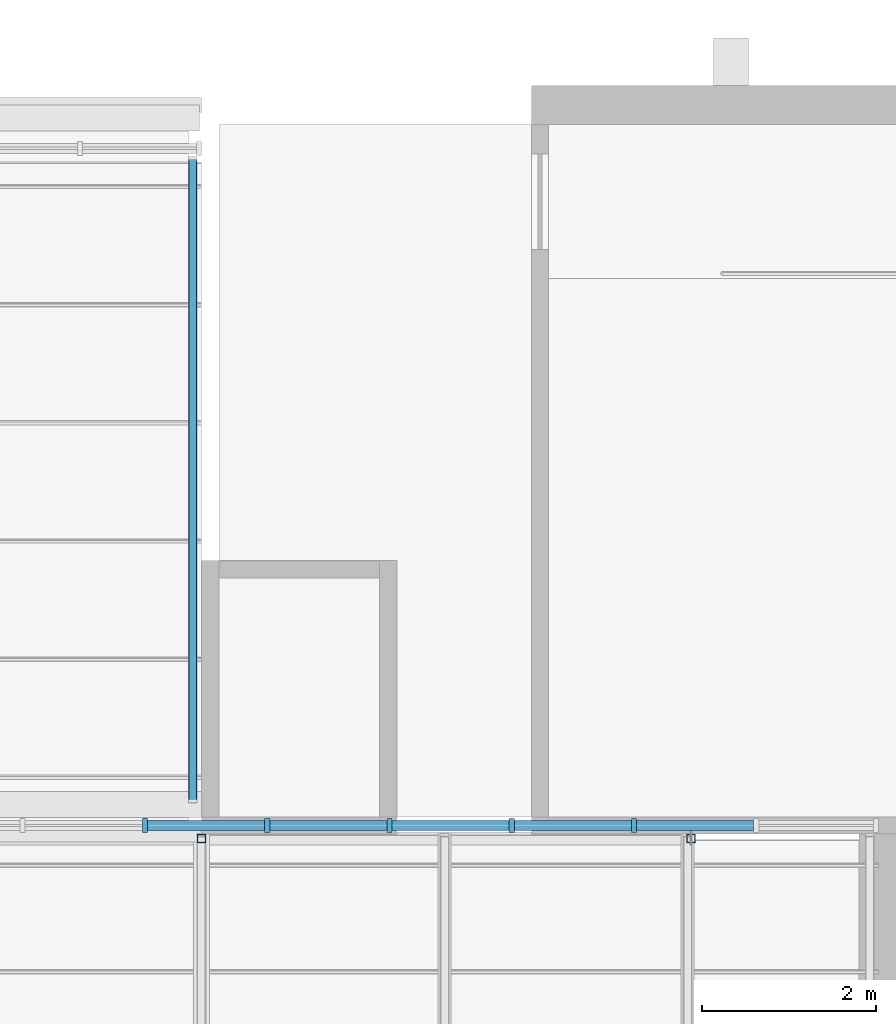
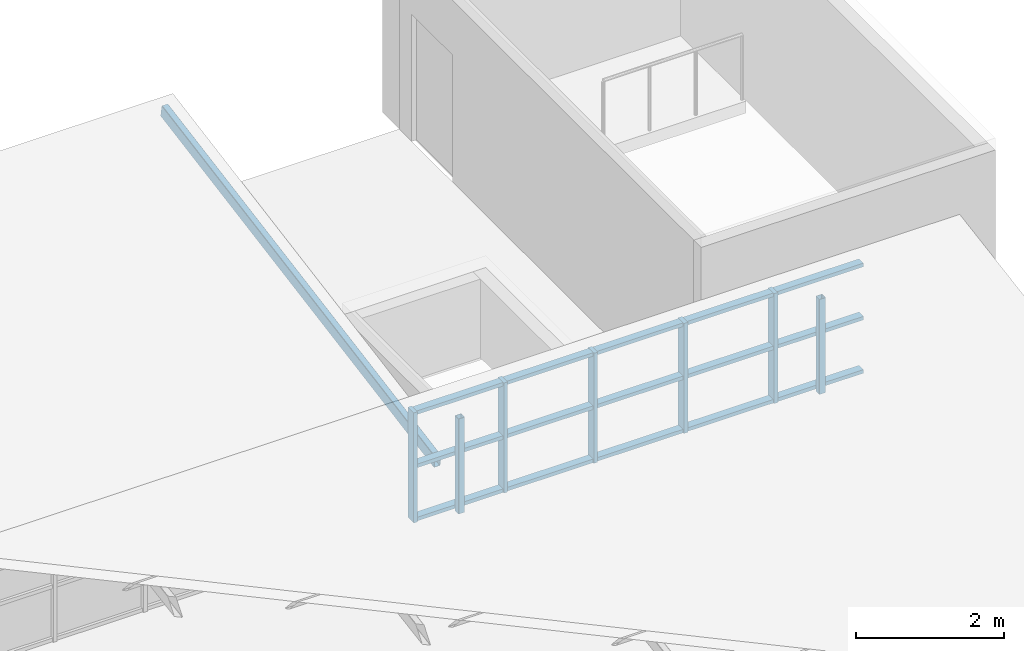
# One storey, part 13 of 42: 23 members, 1 element without a shape of its own.
"""IFC4 building model written with IfcOpenShell, lengths in metres."""

from ifc_helpers import new_model, si_unit, direction, frame, origin, origin_2d, place, context, subcontext, project, spatial, rectangle, hollow_rectangle, extrude, material, layer, layer_set, material_profile, profile_set, type_object, element, aggregate, save


model = new_model("IFC4")

# Units and contexts
model_context = context("Model", 3, precision=1e-05, world=origin(), true_north=direction((0.0, 1.0)))
body_context = subcontext(model_context, "Body", "Model", "MODEL_VIEW")
ifc_project = project(units=[si_unit("LENGTHUNIT", "METRE"), si_unit("AREAUNIT", "SQUARE_METRE"), si_unit("VOLUMEUNIT", "CUBIC_METRE"), si_unit("PLANEANGLEUNIT", "RADIAN"), si_unit("MASSUNIT", "GRAM", prefix="KILO")], contexts=[model_context])

# Site, building, storey
site_placement = place(None, origin())
site = spatial("IfcSite", under=ifc_project, at=site_placement, CompositionType="ELEMENT")
building_placement = place(site_placement, origin())
building = spatial("IfcBuilding", under=site, at=building_placement, Name="Ardhachandra Cancer Care Centre", CompositionType="ELEMENT")
storey_placement = place(building_placement, frame((0.0, 0.0, 22.5)))
storey = spatial("IfcBuildingStorey", under=building, at=storey_placement, Name="L05", CompositionType="ELEMENT", Elevation=22.5)

# Curtain wall, members
ifc_material_1 = material(Name="Aluminium extrusion", Category="aluminium")
ifc_layer = layer(ifc_material_1, 0.14990234375)
ifc_layer_set = layer_set([ifc_layer], Name="Aluminium extrusion")
curtain_wall_type = type_object("IfcCurtainWallType", Name="Curtain wall run", PredefinedType="NOTDEFINED", material=ifc_layer_set)
curtain_wall_placement = place(storey_placement, origin())
curtain_wall = element("IfcCurtainWall", 1, at=curtain_wall_placement, inside=storey, type_object=curtain_wall_type, Name="Curtain wall L05 n/0011400_0088300", PredefinedType="NOTDEFINED")
ifc_material_2 = material(Name="Aluminium extrusion", Category="aluminium")
ifc_material_profile_1 = material_profile(ifc_material_2, rectangle(XDim=0.159912109375, YDim=0.06005859375, at=origin_2d()), Name="Curtain wall mullion 60 x 160")
ifc_profile_set_1 = profile_set([ifc_material_profile_1], Name="Aluminium extrusion")
member_type_1 = type_object("IfcMemberType", Name="Curtain wall mullion 60 x 160", PredefinedType="MULLION", material=ifc_profile_set_1)
member_1_placement = place(storey_placement, frame((35.347900390625, 88.300048828125, 0.0), z_axis=(0.0, 0.0, 1.0), x_axis=(0.0, 1.0, 0.0)))
member_1 = element("IfcMember", 2, at=member_1_placement, type_object=member_type_1, Name="CW mullion 18", PredefinedType="MULLION", context=body_context, shape_type="SweptSolid", body=[
    extrude(rectangle(XDim=0.159912109375, YDim=0.06005859375, at=origin_2d()), origin(), (0.0, 0.0, 1.0), 1.820068359375),
])
member_2_placement = place(storey_placement, frame((36.756591796875, 88.300048828125, 0.0), z_axis=(0.0, 0.0, 1.0), x_axis=(0.0, 1.0, 0.0)))
member_2 = element("IfcMember", 3, at=member_2_placement, type_object=member_type_1, Name="CW mullion 19", PredefinedType="MULLION", context=body_context, shape_type="SweptSolid", body=[
    extrude(rectangle(XDim=0.159912109375, YDim=0.06005859375, at=origin_2d()), origin(), (0.0, 0.0, 1.0), 1.820068359375),
])
member_3_placement = place(storey_placement, frame((38.165283203125, 88.300048828125, 0.0), z_axis=(0.0, 0.0, 1.0), x_axis=(0.0, 1.0, 0.0)))
member_3 = element("IfcMember", 4, at=member_3_placement, type_object=member_type_1, Name="CW mullion 20", PredefinedType="MULLION", context=body_context, shape_type="SweptSolid", body=[
    extrude(rectangle(XDim=0.159912109375, YDim=0.06005859375, at=origin_2d()), origin(), (0.0, 0.0, 1.0), 1.820068359375),
])
member_4_placement = place(storey_placement, frame((39.573974609375, 88.300048828125, 0.0), z_axis=(0.0, 0.0, 1.0), x_axis=(0.0, 1.0, 0.0)))
member_4 = element("IfcMember", 5, at=member_4_placement, type_object=member_type_1, Name="CW mullion 21", PredefinedType="MULLION", context=body_context, shape_type="SweptSolid", body=[
    extrude(rectangle(XDim=0.159912109375, YDim=0.06005859375, at=origin_2d()), origin(), (0.0, 0.0, 1.0), 1.820068359375),
])
member_5_placement = place(storey_placement, frame((40.982666015625, 88.300048828125, 0.0), z_axis=(0.0, 0.0, 1.0), x_axis=(0.0, 1.0, 0.0)))
member_5 = element("IfcMember", 6, at=member_5_placement, type_object=member_type_1, Name="CW mullion 22", PredefinedType="MULLION", context=body_context, shape_type="SweptSolid", body=[
    extrude(rectangle(XDim=0.159912109375, YDim=0.06005859375, at=origin_2d()), origin(), (0.0, 0.0, 1.0), 1.820068359375),
])
ifc_material_3 = material(Name="Aluminium extrusion", Category="aluminium")
ifc_material_profile_2 = material_profile(ifc_material_3, rectangle(XDim=0.1201171875, YDim=0.06005859375, at=origin_2d()), Name="Curtain wall transom 60 x 120")
ifc_profile_set_2 = profile_set([ifc_material_profile_2], Name="Aluminium extrusion")
member_type_2 = type_object("IfcMemberType", Name="Curtain wall transom 60 x 120", PredefinedType="USERDEFINED", material=ifc_profile_set_2)
member_6_placement = place(storey_placement, frame((35.3779296875, 88.300048828125, 0.030029296875), z_axis=(1.0, 0.0, 0.0), x_axis=(0.0, 1.0, 0.0)))
member_6 = element("IfcMember", 7, at=member_6_placement, type_object=member_type_2, Name="CW transom 18.1", ObjectType="TRANSOM", PredefinedType="USERDEFINED", context=body_context, shape_type="SweptSolid", body=[
    extrude(rectangle(XDim=0.1201171875, YDim=0.06005859375, at=origin_2d()), origin(), (0.0, 0.0, 1.0), 1.3486328125),
])
member_7_placement = place(storey_placement, frame((35.3779296875, 88.300048828125, 0.909912109375), z_axis=(1.0, 0.0, 0.0), x_axis=(0.0, 1.0, 0.0)))
member_7 = element("IfcMember", 8, at=member_7_placement, type_object=member_type_2, Name="CW transom 18.2", ObjectType="TRANSOM", PredefinedType="USERDEFINED", context=body_context, shape_type="SweptSolid", body=[
    extrude(rectangle(XDim=0.1201171875, YDim=0.06005859375, at=origin_2d()), origin(), (0.0, 0.0, 1.0), 1.3486328125),
])
member_8_placement = place(storey_placement, frame((35.3779296875, 88.300048828125, 1.7900390625), z_axis=(1.0, 0.0, 0.0), x_axis=(0.0, 1.0, 0.0)))
member_8 = element("IfcMember", 9, at=member_8_placement, type_object=member_type_2, Name="CW transom 18.3", ObjectType="TRANSOM", PredefinedType="USERDEFINED", context=body_context, shape_type="SweptSolid", body=[
    extrude(rectangle(XDim=0.1201171875, YDim=0.06005859375, at=origin_2d()), origin(), (0.0, 0.0, 1.0), 1.3486328125),
])
member_9_placement = place(storey_placement, frame((36.78662109375, 88.300048828125, 0.030029296875), z_axis=(1.0, 0.0, 0.0), x_axis=(0.0, 1.0, 0.0)))
member_9 = element("IfcMember", 10, at=member_9_placement, type_object=member_type_2, Name="CW transom 19.1", ObjectType="TRANSOM", PredefinedType="USERDEFINED", context=body_context, shape_type="SweptSolid", body=[
    extrude(rectangle(XDim=0.1201171875, YDim=0.06005859375, at=origin_2d()), origin(), (0.0, 0.0, 1.0), 1.3486328125),
])
member_10_placement = place(storey_placement, frame((36.78662109375, 88.300048828125, 0.909912109375), z_axis=(1.0, 0.0, 0.0), x_axis=(0.0, 1.0, 0.0)))
member_10 = element("IfcMember", 11, at=member_10_placement, type_object=member_type_2, Name="CW transom 19.2", ObjectType="TRANSOM", PredefinedType="USERDEFINED", context=body_context, shape_type="SweptSolid", body=[
    extrude(rectangle(XDim=0.1201171875, YDim=0.06005859375, at=origin_2d()), origin(), (0.0, 0.0, 1.0), 1.3486328125),
])
member_11_placement = place(storey_placement, frame((36.78662109375, 88.300048828125, 1.7900390625), z_axis=(1.0, 0.0, 0.0), x_axis=(0.0, 1.0, 0.0)))
member_11 = element("IfcMember", 12, at=member_11_placement, type_object=member_type_2, Name="CW transom 19.3", ObjectType="TRANSOM", PredefinedType="USERDEFINED", context=body_context, shape_type="SweptSolid", body=[
    extrude(rectangle(XDim=0.1201171875, YDim=0.06005859375, at=origin_2d()), origin(), (0.0, 0.0, 1.0), 1.3486328125),
])
member_12_placement = place(storey_placement, frame((38.1953125, 88.300048828125, 0.030029296875), z_axis=(1.0, 0.0, 0.0), x_axis=(0.0, 1.0, 0.0)))
member_12 = element("IfcMember", 13, at=member_12_placement, type_object=member_type_2, Name="CW transom 20.1", ObjectType="TRANSOM", PredefinedType="USERDEFINED", context=body_context, shape_type="SweptSolid", body=[
    extrude(rectangle(XDim=0.1201171875, YDim=0.06005859375, at=origin_2d()), origin(), (0.0, 0.0, 1.0), 1.3486328125),
])
member_13_placement = place(storey_placement, frame((38.1953125, 88.300048828125, 0.909912109375), z_axis=(1.0, 0.0, 0.0), x_axis=(0.0, 1.0, 0.0)))
member_13 = element("IfcMember", 14, at=member_13_placement, type_object=member_type_2, Name="CW transom 20.2", ObjectType="TRANSOM", PredefinedType="USERDEFINED", context=body_context, shape_type="SweptSolid", body=[
    extrude(rectangle(XDim=0.1201171875, YDim=0.06005859375, at=origin_2d()), origin(), (0.0, 0.0, 1.0), 1.3486328125),
])
member_14_placement = place(storey_placement, frame((38.1953125, 88.300048828125, 1.7900390625), z_axis=(1.0, 0.0, 0.0), x_axis=(0.0, 1.0, 0.0)))
member_14 = element("IfcMember", 15, at=member_14_placement, type_object=member_type_2, Name="CW transom 20.3", ObjectType="TRANSOM", PredefinedType="USERDEFINED", context=body_context, shape_type="SweptSolid", body=[
    extrude(rectangle(XDim=0.1201171875, YDim=0.06005859375, at=origin_2d()), origin(), (0.0, 0.0, 1.0), 1.3486328125),
])
member_15_placement = place(storey_placement, frame((39.60400390625, 88.300048828125, 0.030029296875), z_axis=(1.0, 0.0, 0.0), x_axis=(0.0, 1.0, 0.0)))
member_15 = element("IfcMember", 16, at=member_15_placement, type_object=member_type_2, Name="CW transom 21.1", ObjectType="TRANSOM", PredefinedType="USERDEFINED", context=body_context, shape_type="SweptSolid", body=[
    extrude(rectangle(XDim=0.1201171875, YDim=0.06005859375, at=origin_2d()), origin(), (0.0, 0.0, 1.0), 1.3486328125),
])
member_16_placement = place(storey_placement, frame((39.60400390625, 88.300048828125, 0.909912109375), z_axis=(1.0, 0.0, 0.0), x_axis=(0.0, 1.0, 0.0)))
member_16 = element("IfcMember", 17, at=member_16_placement, type_object=member_type_2, Name="CW transom 21.2", ObjectType="TRANSOM", PredefinedType="USERDEFINED", context=body_context, shape_type="SweptSolid", body=[
    extrude(rectangle(XDim=0.1201171875, YDim=0.06005859375, at=origin_2d()), origin(), (0.0, 0.0, 1.0), 1.3486328125),
])
member_17_placement = place(storey_placement, frame((39.60400390625, 88.300048828125, 1.7900390625), z_axis=(1.0, 0.0, 0.0), x_axis=(0.0, 1.0, 0.0)))
member_17 = element("IfcMember", 18, at=member_17_placement, type_object=member_type_2, Name="CW transom 21.3", ObjectType="TRANSOM", PredefinedType="USERDEFINED", context=body_context, shape_type="SweptSolid", body=[
    extrude(rectangle(XDim=0.1201171875, YDim=0.06005859375, at=origin_2d()), origin(), (0.0, 0.0, 1.0), 1.3486328125),
])
member_18_placement = place(storey_placement, frame((41.0126953125, 88.300048828125, 0.030029296875), z_axis=(1.0, 0.0, 0.0), x_axis=(0.0, 1.0, 0.0)))
member_18 = element("IfcMember", 19, at=member_18_placement, type_object=member_type_2, Name="CW transom 22.1", ObjectType="TRANSOM", PredefinedType="USERDEFINED", context=body_context, shape_type="SweptSolid", body=[
    extrude(rectangle(XDim=0.1201171875, YDim=0.06005859375, at=origin_2d()), origin(), (0.0, 0.0, 1.0), 1.3486328125),
])
member_19_placement = place(storey_placement, frame((41.0126953125, 88.300048828125, 0.909912109375), z_axis=(1.0, 0.0, 0.0), x_axis=(0.0, 1.0, 0.0)))
member_19 = element("IfcMember", 20, at=member_19_placement, type_object=member_type_2, Name="CW transom 22.2", ObjectType="TRANSOM", PredefinedType="USERDEFINED", context=body_context, shape_type="SweptSolid", body=[
    extrude(rectangle(XDim=0.1201171875, YDim=0.06005859375, at=origin_2d()), origin(), (0.0, 0.0, 1.0), 1.3486328125),
])
member_20_placement = place(storey_placement, frame((41.0126953125, 88.300048828125, 1.7900390625), z_axis=(1.0, 0.0, 0.0), x_axis=(0.0, 1.0, 0.0)))
member_20 = element("IfcMember", 21, at=member_20_placement, type_object=member_type_2, Name="CW transom 22.3", ObjectType="TRANSOM", PredefinedType="USERDEFINED", context=body_context, shape_type="SweptSolid", body=[
    extrude(rectangle(XDim=0.1201171875, YDim=0.06005859375, at=origin_2d()), origin(), (0.0, 0.0, 1.0), 1.3486328125),
])
aggregate(curtain_wall, [member_1, member_2, member_3, member_4, member_5, member_6, member_7, member_8, member_9, member_10, member_11, member_12, member_13, member_14, member_15, member_16, member_17, member_18, member_19, member_20])

# Members
ifc_material_4 = material(Name="Steel E350 (IS 2062)", Category="steel")
ifc_material_profile_3 = material_profile(ifc_material_4, hollow_rectangle(XDim=0.10009765625, YDim=0.199951171875, WallThickness=0.006103515625, InnerFilletRadius=0.006103515625, OuterFilletRadius=0.011962890625, at=origin_2d()), Name="RHS 200x100x6.0")
ifc_profile_set_3 = profile_set([ifc_material_profile_3], Name="Steel E350 (IS 2062)")
member_type_3 = type_object("IfcMemberType", Name="Roof rafter RHS 200x100x6.0", PredefinedType="RAFTER", material=ifc_profile_set_3)
member_21_placement = place(storey_placement, frame((35.89990234375, 88.58251953125, 0.598388671875), z_axis=(0.0, 0.984458474177, 0.175617517977), x_axis=(-1.0, 0.0, 0.0)))
element("IfcMember", 22, at=member_21_placement, inside=storey, type_object=member_type_3, Name="Rafter NT3a.7", PredefinedType="RAFTER", context=body_context, shape_type="SweptSolid", body=[
    extrude(hollow_rectangle(XDim=0.10009765625, YDim=0.199951171875, WallThickness=0.006103515625, InnerFilletRadius=0.006103515625, OuterFilletRadius=0.011962890625, at=origin_2d()), origin(), (0.0, 0.0, 1.0), 7.516845703125),
])
ifc_material_5 = material(Name="Steel E350 (IS 2062)", Category="steel")
ifc_material_profile_4 = material_profile(ifc_material_5, hollow_rectangle(XDim=0.10009765625, YDim=0.10009765625, WallThickness=0.0048828125, InnerFilletRadius=0.0048828125, OuterFilletRadius=0.010009765625, at=origin_2d()), Name="SHS 100x100x5.0")
ifc_profile_set_4 = profile_set([ifc_material_profile_4], Name="Steel E350 (IS 2062)")
member_type_4 = type_object("IfcMemberType", Name="Sawtooth ridge post SHS 100x100x5.0", PredefinedType="POST", material=ifc_profile_set_4)
for number, where, z_axis, x_axis, name in (
    (23, (36.0, 88.14990234375, 0.0), (0.0, 0.0, 1.0), (1.0, 0.0, 0.0), "Ridge post NT2a.4"),
    (24, (41.639892578125, 88.14990234375, 0.0), (0.0, 0.0, 1.0), (1.0, 0.0, 0.0), "Ridge post NT2a.5"),
):
    element("IfcMember", number, at=place(storey_placement, frame(where, z_axis=z_axis, x_axis=x_axis)), inside=storey, type_object=member_type_4, Name=name, PredefinedType="POST", context=body_context, shape_type="SweptSolid", body=[
        extrude(hollow_rectangle(XDim=0.10009765625, YDim=0.10009765625, WallThickness=0.0048828125, InnerFilletRadius=0.0048828125, OuterFilletRadius=0.010009765625, at=origin_2d()), origin(), (0.0, 0.0, 1.0), 1.570068359375),
    ])

save(model, "model.ifc")
